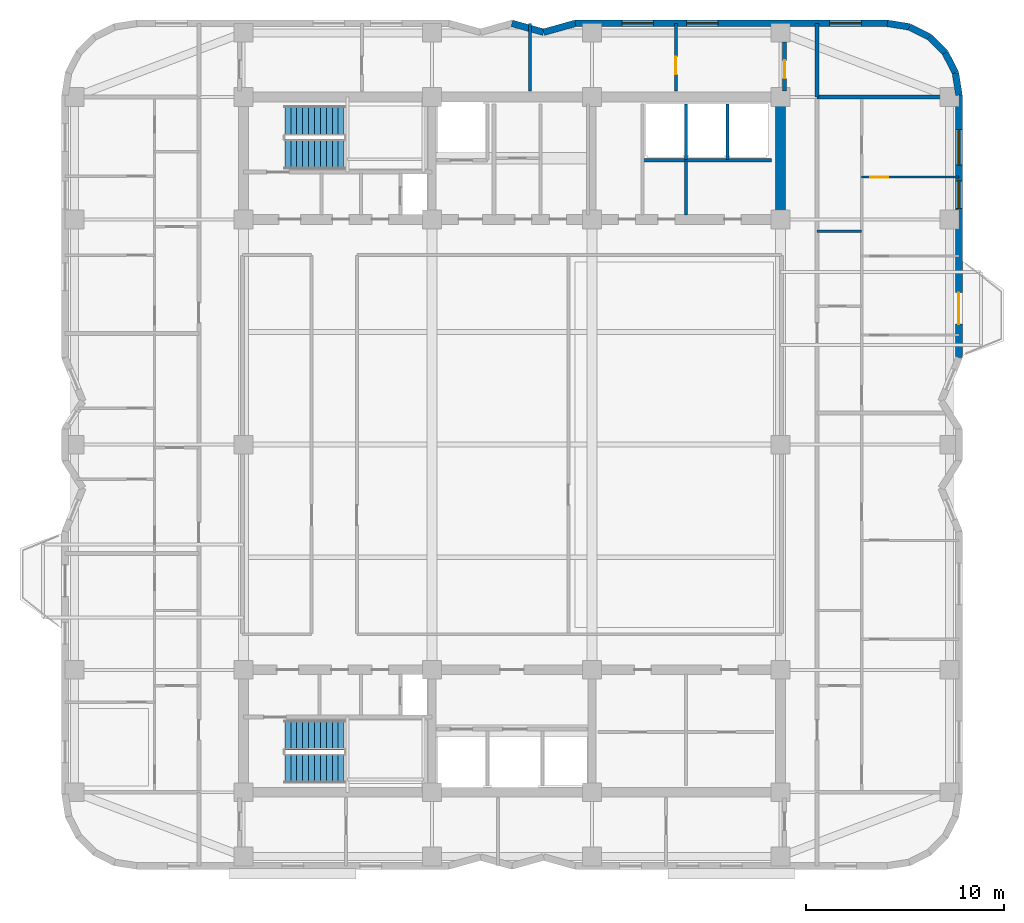
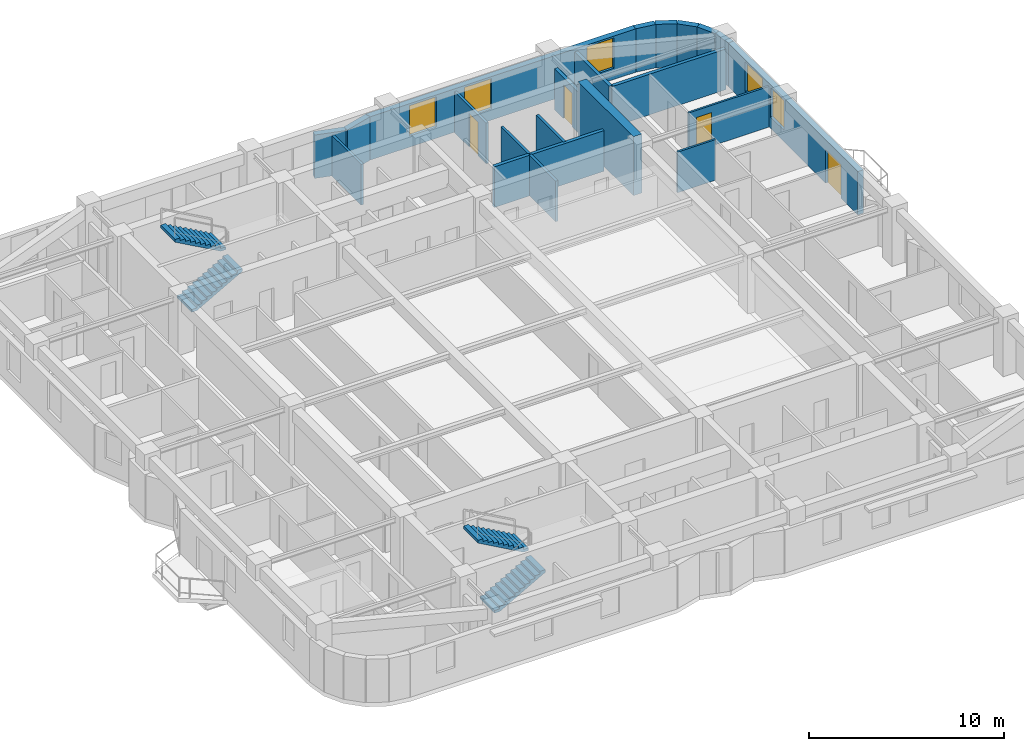
# One storey, part 7 of 9: 21 walls, 5 windows, 4 doors, 4 stair flights, 9 openings, 2 elements without a shape of their own.
"""IFC4 building model written with IfcOpenShell, lengths in metres."""

from ifc_helpers import new_model, si_unit, direction, frame, frame_2d, origin, place, context, subcontext, project, spatial, polyline, rectangle, outline, extrude, material, layer, layer_set, type_object, element, fill, aggregate, save


model = new_model("IFC4")

# Units and contexts
model_context = context("Model", 3, precision=1e-05, world=origin(), true_north=direction((0.0, 1.0)))
body_context = subcontext(model_context, "Body", "Model", "MODEL_VIEW")
ifc_project = project(units=[si_unit("LENGTHUNIT", "METRE"), si_unit("AREAUNIT", "SQUARE_METRE"), si_unit("VOLUMEUNIT", "CUBIC_METRE"), si_unit("PLANEANGLEUNIT", "RADIAN"), si_unit("MASSUNIT", "GRAM", prefix="KILO")], contexts=[model_context])

# Site, building, storey
site_placement = place(None, origin())
site = spatial("IfcSite", under=ifc_project, at=site_placement, CompositionType="ELEMENT")
building_placement = place(site_placement, origin())
building = spatial("IfcBuilding", under=site, at=building_placement, Name="Svetorya Sky Lyceum", CompositionType="ELEMENT")
storey_placement = place(building_placement, frame((0.0, 0.0, 155.199951171875)))
storey = spatial("IfcBuildingStorey", under=building, at=storey_placement, Name="L38", CompositionType="ELEMENT", Elevation=155.199951171875)

# Wall
ifc_material_1 = material(Name="Concrete C50/60", Category="concrete")
ifc_layer_1 = layer(ifc_material_1, 0.5)
ifc_layer_set_1 = layer_set([ifc_layer_1], Name="Concrete C50/60")
wall_type_1 = type_object("IfcWallType", Name="WL-CORE-500", PredefinedType="SHEAR", material=ifc_layer_set_1)
wall_1_placement = place(storey_placement, frame((52.800048828125, 39.85009765625, 0.0), z_axis=(0.0, 0.0, 1.0), x_axis=(0.0, 1.0, 0.0)))
element("IfcWall", 1, at=wall_1_placement, inside=storey, type_object=wall_type_1, Name="L38 NC East Core Shear Wall", PredefinedType="SHEAR", context=body_context, shape_type="SweptSolid", body=[
    extrude(rectangle(XDim=5.699951171875, YDim=0.5, at=frame_2d((2.85009765625, 0.0))), origin(), (0.0, 0.0, 1.0), 3.699951171875),
])

# Wall, openings, door, windows
ifc_material_2 = material(Name="Putilovo limestone rainscreen on autoclaved cellular masonry", Category="masonry")
ifc_layer_2 = layer(ifc_material_2, 0.340087890625)
ifc_layer_set_2 = layer_set([ifc_layer_2], Name="Putilovo limestone rainscreen on autoclaved cellular masonry")
wall_type_2 = type_object("IfcWallType", Name="WL-EXT-340", PredefinedType="SOLIDWALL", material=ifc_layer_set_2)
wall_2_placement = place(storey_placement, frame((61.830078125, 32.60009765625, 0.0), z_axis=(0.0, 0.0, 1.0), x_axis=(0.0, 1.0, 0.0)))
wall_2 = element("IfcWall", 2, at=wall_2_placement, inside=storey, type_object=wall_type_2, Name="L38 Limestone Exterior Wall 23M", PredefinedType="SOLIDWALL", context=body_context, shape_type="SweptSolid", body=[
    extrude(rectangle(XDim=13.2998046875, YDim=0.340087890625, at=frame_2d((6.64990234375, 0.0))), origin(), (0.0, 0.0, 1.0), 2.719970703125),
])
opening_1_placement = place(wall_2_placement, frame((1.699951171875, 0.0, 0.0)))
opening_1 = element("IfcOpeningElement", 3, at=opening_1_placement, cuts=wall_2, Name="Opening D-BL1", PredefinedType="OPENING", context=body_context, shape_type="SweptSolid", body=[
    extrude(rectangle(XDim=1.60009765625, YDim=2.10009765625, at=frame_2d((0.800048828125, 1.050048828125))), frame((0.0, 0.179931640625, 0.0), z_axis=(0.0, -1.0, 0.0), x_axis=(1.0, 0.0, 0.0)), (0.0, 0.0, 1.0), 0.360107421875),
])
opening_2_placement = place(wall_2_placement, frame((7.56005859375, 0.0, 0.7099609375)))
opening_2 = element("IfcOpeningElement", 4, at=opening_2_placement, cuts=wall_2, Name="Opening W-R2", PredefinedType="OPENING", context=body_context, shape_type="SweptSolid", body=[
    extrude(rectangle(XDim=1.39990234375, YDim=1.85009765625, at=frame_2d((0.699951171875, 0.925048828125))), frame((0.0, 0.179931640625, 0.0), z_axis=(0.0, -1.0, 0.0), x_axis=(1.0, 0.0, 0.0)), (0.0, 0.0, 1.0), 0.360107421875),
])
opening_3_placement = place(wall_2_placement, frame((9.75, 0.0, 0.75)))
opening_3 = element("IfcOpeningElement", 5, at=opening_3_placement, cuts=wall_2, Name="Opening W-R1", PredefinedType="OPENING", context=body_context, shape_type="SweptSolid", body=[
    extrude(rectangle(XDim=1.800048828125, YDim=1.85009765625, at=frame_2d((0.89990234375, 0.925048828125))), frame((0.0, 0.179931640625, 0.0), z_axis=(0.0, -1.0, 0.0), x_axis=(1.0, 0.0, 0.0)), (0.0, 0.0, 1.0), 0.360107421875),
])
ifc_material_3 = material(Name="Insulated glazed aluminium balcony door", Category="aluminium")
door_type_1 = type_object("IfcDoorType", Name="DR-BAL-1600", OperationType="DOUBLE_DOOR_SINGLE_SWING", PredefinedType="DOOR", material=ifc_material_3)
door_1_placement = place(opening_1_placement, origin())
door_1 = element("IfcDoor", 6, at=door_1_placement, inside=storey, type_object=door_type_1, Name="L38 Balcony BAL-E1 Door", OperationType="DOUBLE_DOOR_SINGLE_SWING", OverallHeight=2.10009765625, OverallWidth=1.60009765625, PredefinedType="DOOR", context=body_context, shape_type="SweptSolid", body=[
    extrude(rectangle(XDim=1.60009765625, YDim=2.10009765625, at=frame_2d((0.800048828125, 1.050048828125))), frame((0.0, 0.02490234375, 0.0), z_axis=(0.0, -1.0, 0.0), x_axis=(1.0, 0.0, 0.0)), (0.0, 0.0, 1.0), 0.050048828125),
])
fill(opening_1, door_1)
ifc_material_4 = material(Name="Thermally broken aluminium frame with triple low-E glazing", Category="aluminium")
window_type_1 = type_object("IfcWindowType", Name="WN-RES-140", PartitioningType="SINGLE_PANEL", PredefinedType="WINDOW", material=ifc_material_4)
window_1_placement = place(opening_2_placement, origin())
window_1 = element("IfcWindow", 7, at=window_1_placement, inside=storey, type_object=window_type_1, Name="L38 Facade Window W-R2.23M.2", OverallHeight=1.85009765625, OverallWidth=1.39990234375, PartitioningType="SINGLE_PANEL", PredefinedType="WINDOW", context=body_context, shape_type="SweptSolid", body=[
    extrude(rectangle(XDim=1.39990234375, YDim=1.85009765625, at=frame_2d((0.699951171875, 0.925048828125))), frame((0.0, 0.030029296875, 0.0), z_axis=(0.0, -1.0, 0.0), x_axis=(1.0, 0.0, 0.0)), (0.0, 0.0, 1.0), 0.06005859375),
])
fill(opening_2, window_1)
window_type_2 = type_object("IfcWindowType", Name="WN-RES-180", PartitioningType="DOUBLE_PANEL_VERTICAL", PredefinedType="WINDOW", material=ifc_material_4)
window_2_placement = place(opening_3_placement, origin())
window_2 = element("IfcWindow", 8, at=window_2_placement, inside=storey, type_object=window_type_2, Name="L38 Facade Window W-R1.23M.1", OverallHeight=1.85009765625, OverallWidth=1.800048828125, PartitioningType="SINGLE_PANEL", PredefinedType="WINDOW", context=body_context, shape_type="SweptSolid", body=[
    extrude(rectangle(XDim=1.800048828125, YDim=1.85009765625, at=frame_2d((0.89990234375, 0.925048828125))), frame((0.0, 0.030029296875, 0.0), z_axis=(0.0, -1.0, 0.0), x_axis=(1.0, 0.0, 0.0)), (0.0, 0.0, 1.0), 0.06005859375),
])
fill(opening_3, window_2)

# Walls
for number, where, z_axis, x_axis, name in (
    (9, (61.830078125, 45.89990234375, 0.0), (0.0, 0.0, 1.0), (-0.156481329164, 0.987680916907, 0.0), "L38 Limestone Exterior Wall 24M"),
    (10, (61.65234375, 47.021728515625, 0.0), (0.0, 0.0, 1.0), (-0.453993402883, 0.891005044957, 0.0), "L38 Limestone Exterior Wall 25M"),
):
    element("IfcWall", number, at=place(storey_placement, frame(where, z_axis=z_axis, x_axis=x_axis)), inside=storey, type_object=wall_type_2, Name=name, PredefinedType="SOLIDWALL", context=body_context, shape_type="SweptSolid", body=[
        extrude(rectangle(XDim=1.1357421875, YDim=0.340087890625, at=frame_2d((0.56787109375, 0.0))), origin(), (0.0, 0.0, 1.0), 2.719970703125),
    ])
wall_3_placement = place(storey_placement, frame((61.13671875, 48.03369140625, 0.0), z_axis=(0.0, 0.0, 1.0), x_axis=(-0.707106781187, 0.707106781187, 0.0)))
element("IfcWall", 11, at=wall_3_placement, inside=storey, type_object=wall_type_2, Name="L38 Limestone Exterior Wall 26M", PredefinedType="SOLIDWALL", context=body_context, shape_type="SweptSolid", body=[
    extrude(rectangle(XDim=1.135498046875, YDim=0.340087890625, at=frame_2d((0.56787109375, 0.0))), origin(), (0.0, 0.0, 1.0), 2.719970703125),
])
for number, where, z_axis, x_axis, name in (
    (12, (60.333740234375, 48.836669921875, 0.0), (0.0, 0.0, 1.0), (-0.891005044957, 0.453993402883, 0.0), "L38 Limestone Exterior Wall 27M"),
    (13, (59.32177734375, 49.352294921875, 0.0), (0.0, 0.0, 1.0), (-0.987680916907, 0.156481329164, 0.0), "L38 Limestone Exterior Wall 28M"),
):
    element("IfcWall", number, at=place(storey_placement, frame(where, z_axis=z_axis, x_axis=x_axis)), inside=storey, type_object=wall_type_2, Name=name, PredefinedType="SOLIDWALL", context=body_context, shape_type="SweptSolid", body=[
        extrude(rectangle(XDim=1.1357421875, YDim=0.340087890625, at=frame_2d((0.56787109375, 0.0))), origin(), (0.0, 0.0, 1.0), 2.719970703125),
    ])

# Wall, openings, windows
wall_4_placement = place(storey_placement, frame((58.199951171875, 49.530029296875, 0.0), z_axis=(0.0, 0.0, 1.0), x_axis=(-1.0, 0.0, 0.0)))
wall_4 = element("IfcWall", 14, at=wall_4_placement, inside=storey, type_object=wall_type_2, Name="L38 Limestone Exterior Wall 29M", PredefinedType="SOLIDWALL", context=body_context, shape_type="SweptSolid", body=[
    extrude(rectangle(XDim=15.800048828125, YDim=0.340087890625, at=frame_2d((7.89990234375, 0.0))), origin(), (0.0, 0.0, 1.0), 2.719970703125),
])
opening_4_placement = place(wall_4_placement, frame((1.3125, 0.0, 0.699951171875)))
opening_4 = element("IfcOpeningElement", 15, at=opening_4_placement, cuts=wall_4, Name="Opening W-R4", PredefinedType="OPENING", context=body_context, shape_type="SweptSolid", body=[
    extrude(rectangle(XDim=1.60009765625, YDim=1.89990234375, at=frame_2d((0.800048828125, 0.949951171875))), frame((0.0, 0.179931640625, 0.0), z_axis=(0.0, -1.0, 0.0), x_axis=(1.0, 0.0, 0.0)), (0.0, 0.0, 1.0), 0.360107421875),
])
opening_5_placement = place(wall_4_placement, frame((8.5625, 0.0, 0.699951171875)))
opening_5 = element("IfcOpeningElement", 16, at=opening_5_placement, cuts=wall_4, Name="Opening W-R4", PredefinedType="OPENING", context=body_context, shape_type="SweptSolid", body=[
    extrude(rectangle(XDim=1.60009765625, YDim=1.89990234375, at=frame_2d((0.800048828125, 0.949951171875))), frame((0.0, 0.179931640625, 0.0), z_axis=(0.0, -1.0, 0.0), x_axis=(1.0, 0.0, 0.0)), (0.0, 0.0, 1.0), 0.360107421875),
])
opening_6_placement = place(wall_4_placement, frame((11.83740234375, 0.0, 0.699951171875)))
opening_6 = element("IfcOpeningElement", 17, at=opening_6_placement, cuts=wall_4, Name="Opening W-R4", PredefinedType="OPENING", context=body_context, shape_type="SweptSolid", body=[
    extrude(rectangle(XDim=1.60009765625, YDim=1.89990234375, at=frame_2d((0.800048828125, 0.949951171875))), frame((0.0, 0.179931640625, 0.0), z_axis=(0.0, -1.0, 0.0), x_axis=(1.0, 0.0, 0.0)), (0.0, 0.0, 1.0), 0.360107421875),
])
window_type_3 = type_object("IfcWindowType", Name="WN-RES-160", PartitioningType="DOUBLE_PANEL_VERTICAL", PredefinedType="WINDOW", material=ifc_material_4)
window_3_placement = place(opening_4_placement, origin())
window_3 = element("IfcWindow", 18, at=window_3_placement, inside=storey, type_object=window_type_3, Name="L38 Facade Window W-R4.29M.1", OverallHeight=1.89990234375, OverallWidth=1.60009765625, PartitioningType="SINGLE_PANEL", PredefinedType="WINDOW", context=body_context, shape_type="SweptSolid", body=[
    extrude(rectangle(XDim=1.60009765625, YDim=1.89990234375, at=frame_2d((0.800048828125, 0.949951171875))), frame((0.0, 0.030029296875, 0.0), z_axis=(0.0, -1.0, 0.0), x_axis=(1.0, 0.0, 0.0)), (0.0, 0.0, 1.0), 0.06005859375),
])
fill(opening_4, window_3)
window_4_placement = place(opening_5_placement, origin())
window_4 = element("IfcWindow", 19, at=window_4_placement, inside=storey, type_object=window_type_3, Name="L38 Facade Window W-R4.29M.2", OverallHeight=1.89990234375, OverallWidth=1.60009765625, PartitioningType="SINGLE_PANEL", PredefinedType="WINDOW", context=body_context, shape_type="SweptSolid", body=[
    extrude(rectangle(XDim=1.60009765625, YDim=1.89990234375, at=frame_2d((0.800048828125, 0.949951171875))), frame((0.0, 0.030029296875, 0.0), z_axis=(0.0, -1.0, 0.0), x_axis=(1.0, 0.0, 0.0)), (0.0, 0.0, 1.0), 0.06005859375),
])
fill(opening_5, window_4)
window_5_placement = place(opening_6_placement, origin())
window_5 = element("IfcWindow", 20, at=window_5_placement, inside=storey, type_object=window_type_3, Name="L38 Facade Window W-R4.29M.3", OverallHeight=1.89990234375, OverallWidth=1.60009765625, PartitioningType="SINGLE_PANEL", PredefinedType="WINDOW", context=body_context, shape_type="SweptSolid", body=[
    extrude(rectangle(XDim=1.60009765625, YDim=1.89990234375, at=frame_2d((0.800048828125, 0.949951171875))), frame((0.0, 0.030029296875, 0.0), z_axis=(0.0, -1.0, 0.0), x_axis=(1.0, 0.0, 0.0)), (0.0, 0.0, 1.0), 0.06005859375),
])
fill(opening_6, window_5)

# Walls
wall_5_placement = place(storey_placement, frame((42.39990234375, 49.530029296875, 0.0), z_axis=(0.0, 0.0, 1.0), x_axis=(-0.962652136636, -0.270741322725, 0.0)))
element("IfcWall", 21, at=wall_5_placement, inside=storey, type_object=wall_type_2, Name="L38 Limestone Exterior Wall 30M", PredefinedType="SOLIDWALL", context=body_context, shape_type="SweptSolid", body=[
    extrude(rectangle(XDim=1.661865234375, YDim=0.340087890625, at=frame_2d((0.8310546875, 0.0))), origin(), (0.0, 0.0, 1.0), 2.719970703125),
])
wall_6_placement = place(storey_placement, frame((40.800048828125, 49.080078125, 0.0), z_axis=(0.0, 0.0, 1.0), x_axis=(-0.962662902433, 0.270703040766, 0.0)))
element("IfcWall", 22, at=wall_6_placement, inside=storey, type_object=wall_type_2, Name="L38 Limestone Exterior Wall 31M", PredefinedType="SOLIDWALL", context=body_context, shape_type="SweptSolid", body=[
    extrude(rectangle(XDim=1.662109375, YDim=0.340087890625, at=frame_2d((0.8310546875, 0.0))), origin(), (0.0, 0.0, 1.0), 2.719970703125),
])
ifc_material_5 = material(Name="Twin-stud galvanized framing with double fireboard", Category="gypsum")
ifc_layer_3 = layer(ifc_material_5, 0.1201171875)
ifc_layer_set_3 = layer_set([ifc_layer_3], Name="Twin-stud galvanized framing with double fireboard")
wall_type_3 = type_object("IfcWallType", Name="WL-PART-120", PredefinedType="PARTITIONING", material=ifc_layer_set_3)
wall_7_placement = place(storey_placement, frame((54.64990234375, 39.0, 0.0), z_axis=(0.0, 0.0, 1.0), x_axis=(1.0, 0.0, 0.0)))
element("IfcWall", 23, at=wall_7_placement, inside=storey, type_object=wall_type_3, Name="L38 Interior Partition E2-WH2", PredefinedType="PARTITIONING", context=body_context, shape_type="SweptSolid", body=[
    extrude(rectangle(XDim=2.25, YDim=0.1201171875, at=frame_2d((1.125, 0.0))), origin(), (0.0, 0.0, 1.0), 2.550048828125),
])

# Wall, opening, door
wall_8_placement = place(storey_placement, frame((56.89990234375, 41.75, 0.0), z_axis=(0.0, 0.0, 1.0), x_axis=(1.0, 0.0, 0.0)))
wall_8 = element("IfcWall", 24, at=wall_8_placement, inside=storey, type_object=wall_type_3, Name="L38 Interior Partition E2-WL3", PredefinedType="PARTITIONING", context=body_context, shape_type="SweptSolid", body=[
    extrude(rectangle(XDim=4.93017578125, YDim=0.1201171875, at=frame_2d((2.465087890625, 0.0))), origin(), (0.0, 0.0, 1.0), 2.550048828125),
])
opening_7_placement = place(wall_8_placement, frame((0.449951171875, 0.0, 0.0)))
opening_7 = element("IfcOpeningElement", 25, at=opening_7_placement, cuts=wall_8, Name="Opening D-RM1", PredefinedType="OPENING", context=body_context, shape_type="SweptSolid", body=[
    extrude(rectangle(XDim=0.89990234375, YDim=2.10009765625, at=frame_2d((0.449951171875, 1.050048828125))), frame((0.0, 0.070068359375, 0.0), z_axis=(0.0, -1.0, 0.0), x_axis=(1.0, 0.0, 0.0)), (0.0, 0.0, 1.0), 0.14013671875),
])
ifc_material_6 = material(Name="Lacquered birch veneer internal door")
door_type_2 = type_object("IfcDoorType", Name="DR-INT-900", OperationType="SINGLE_SWING_LEFT", PredefinedType="DOOR", material=ifc_material_6)
door_2_placement = place(opening_7_placement, origin())
door_2 = element("IfcDoor", 26, at=door_2_placement, inside=storey, type_object=door_type_2, Name="Apartment E2 Bedroom 3 Door", OperationType="SINGLE_SWING_LEFT", OverallHeight=2.10009765625, OverallWidth=0.89990234375, PredefinedType="DOOR", context=body_context, shape_type="SweptSolid", body=[
    extrude(rectangle(XDim=0.89990234375, YDim=2.10009765625, at=frame_2d((0.449951171875, 1.050048828125))), frame((0.0, 0.02490234375, 0.0), z_axis=(0.0, -1.0, 0.0), x_axis=(1.0, 0.0, 0.0)), (0.0, 0.0, 1.0), 0.050048828125),
])
fill(opening_7, door_2)

# Walls
ifc_material_7 = material(Name="Autoclaved cellular masonry blockwork with acoustic render", Category="masonry")
ifc_layer_4 = layer(ifc_material_7, 0.14990234375)
ifc_layer_set_4 = layer_set([ifc_layer_4], Name="Autoclaved cellular masonry blockwork with acoustic render")
wall_type_4 = type_object("IfcWallType", Name="WL-PART-150", PredefinedType="PARTITIONING", material=ifc_layer_set_4)
for number, where, z_axis, x_axis, name in (
    (27, (48.0, 42.64990234375, 0.0), (0.0, 0.0, 1.0), (0.0, 1.0, 0.0), "L38 Interior Partition NC-PH-D1"),
    (28, (50.10009765625, 42.64990234375, 0.0), (0.0, 0.0, 1.0), (0.0, 1.0, 0.0), "L38 Interior Partition NC-PH-D2"),
):
    element("IfcWall", number, at=place(storey_placement, frame(where, z_axis=z_axis, x_axis=x_axis)), inside=storey, type_object=wall_type_4, Name=name, PredefinedType="PARTITIONING", context=body_context, shape_type="SweptSolid", body=[
        extrude(rectangle(XDim=2.800048828125, YDim=0.14990234375, at=frame_2d((1.39990234375, 0.0))), origin(), (0.0, 0.0, 1.0), 2.550048828125),
    ])
wall_9_placement = place(storey_placement, frame((48.0, 39.820068359375, 0.0), z_axis=(0.0, 0.0, 1.0), x_axis=(0.0, 1.0, 0.0)))
element("IfcWall", 29, at=wall_9_placement, inside=storey, type_object=wall_type_4, Name="L38 Interior Partition NC-ED1", PredefinedType="PARTITIONING", context=body_context, shape_type="SweptSolid", body=[
    extrude(rectangle(XDim=2.72998046875, YDim=0.14990234375, at=frame_2d((1.364990234375, 0.0))), origin(), (0.0, 0.0, 1.0), 2.550048828125),
])
wall_10_placement = place(storey_placement, frame((40.10009765625, 46.10009765625, 0.0), z_axis=(0.0, 0.0, 1.0), x_axis=(0.0, 1.0, 0.0)))
element("IfcWall", 30, at=wall_10_placement, inside=storey, type_object=wall_type_4, Name="L38 Interior Partition N4-D2", PredefinedType="PARTITIONING", context=body_context, shape_type="SweptSolid", body=[
    extrude(rectangle(XDim=3.429931640625, YDim=0.14990234375, at=frame_2d((1.71484375, 0.0))), origin(), (0.0, 0.0, 1.0), 2.550048828125),
])

# Wall, opening, door
wall_11_placement = place(storey_placement, frame((47.5, 46.10009765625, 0.0), z_axis=(0.0, 0.0, 1.0), x_axis=(0.0, 1.0, 0.0)))
wall_11 = element("IfcWall", 31, at=wall_11_placement, inside=storey, type_object=wall_type_4, Name="L38 Interior Partition N4-D3", PredefinedType="PARTITIONING", context=body_context, shape_type="SweptSolid", body=[
    extrude(rectangle(XDim=3.429931640625, YDim=0.14990234375, at=frame_2d((1.71484375, 0.0))), origin(), (0.0, 0.0, 1.0), 2.550048828125),
])
opening_8_placement = place(wall_11_placement, frame((0.85009765625, 0.0, 0.0)))
opening_8 = element("IfcOpeningElement", 32, at=opening_8_placement, cuts=wall_11, Name="Opening D-RM1", PredefinedType="OPENING", context=body_context, shape_type="SweptSolid", body=[
    extrude(rectangle(XDim=0.89990234375, YDim=2.10009765625, at=frame_2d((0.449951171875, 1.050048828125))), frame((0.0, 0.0849609375, 0.0), z_axis=(0.0, -1.0, 0.0), x_axis=(1.0, 0.0, 0.0)), (0.0, 0.0, 1.0), 0.169921875),
])
door_3_placement = place(opening_8_placement, origin())
door_3 = element("IfcDoor", 33, at=door_3_placement, inside=storey, type_object=door_type_2, Name="L38 North Suite Door 3", OperationType="SINGLE_SWING_RIGHT", OverallHeight=2.10009765625, OverallWidth=0.89990234375, PredefinedType="DOOR", context=body_context, shape_type="SweptSolid", body=[
    extrude(rectangle(XDim=0.89990234375, YDim=2.10009765625, at=frame_2d((0.449951171875, 1.050048828125))), frame((0.0, 0.02490234375, 0.0), z_axis=(0.0, -1.0, 0.0), x_axis=(1.0, 0.0, 0.0)), (0.0, 0.0, 1.0), 0.050048828125),
])
fill(opening_8, door_3)

# Walls
ifc_material_8 = material(Name="Autoclaved cellular masonry blockwork with gypsum plaster", Category="masonry")
ifc_layer_5 = layer(ifc_material_8, 0.199951171875)
ifc_layer_set_5 = layer_set([ifc_layer_5], Name="Autoclaved cellular masonry blockwork with gypsum plaster")
wall_type_5 = type_object("IfcWallType", Name="WL-PART-200", PredefinedType="PARTITIONING", material=ifc_layer_set_5)
wall_12_placement = place(storey_placement, frame((52.35009765625, 42.60009765625, 0.0), z_axis=(0.0, 0.0, 1.0), x_axis=(-1.0, 0.0, 0.0)))
element("IfcWall", 34, at=wall_12_placement, inside=storey, type_object=wall_type_5, Name="L38 Interior Partition NC-PHEW", PredefinedType="PARTITIONING", context=body_context, shape_type="SweptSolid", body=[
    extrude(rectangle(XDim=6.5, YDim=0.199951171875, at=frame_2d((3.25, 0.0))), origin(), (0.0, 0.0, 1.0), 2.550048828125),
])
wall_13_placement = place(storey_placement, frame((54.64990234375, 45.800048828125, 0.0), z_axis=(0.0, 0.0, 1.0), x_axis=(1.0, 0.0, 0.0)))
element("IfcWall", 35, at=wall_13_placement, inside=storey, type_object=wall_type_5, Name="L38 Interior Partition E-CAP-N", PredefinedType="PARTITIONING", context=body_context, shape_type="SweptSolid", body=[
    extrude(rectangle(XDim=6.760009765625, YDim=0.199951171875, at=frame_2d((3.3798828125, 0.0))), origin(), (0.0, 0.0, 1.0), 2.550048828125),
])
wall_14_placement = place(storey_placement, frame((54.64990234375, 45.800048828125, 0.0), z_axis=(0.0, 0.0, 1.0), x_axis=(0.0, 1.0, 0.0)))
element("IfcWall", 36, at=wall_14_placement, inside=storey, type_object=wall_type_5, Name="L38 Interior Partition EC-NE-END", PredefinedType="PARTITIONING", context=body_context, shape_type="SweptSolid", body=[
    extrude(rectangle(XDim=3.72998046875, YDim=0.199951171875, at=frame_2d((1.864990234375, 0.0))), origin(), (0.0, 0.0, 1.0), 2.550048828125),
])

# Wall, opening, door
wall_15_placement = place(storey_placement, frame((53.0, 46.10009765625, 0.0), z_axis=(0.0, 0.0, 1.0), x_axis=(0.0, 1.0, 0.0)))
wall_15 = element("IfcWall", 37, at=wall_15_placement, inside=storey, type_object=wall_type_5, Name="L38 Interior Partition N4-EE", PredefinedType="PARTITIONING", context=body_context, shape_type="SweptSolid", body=[
    extrude(rectangle(XDim=2.47998046875, YDim=0.199951171875, at=frame_2d((1.239990234375, 0.0))), origin(), (0.0, 0.0, 1.0), 2.550048828125),
])
opening_9_placement = place(wall_15_placement, frame((0.64990234375, 0.0, 0.0)))
opening_9 = element("IfcOpeningElement", 38, at=opening_9_placement, cuts=wall_15, Name="Opening D-RM1", PredefinedType="OPENING", context=body_context, shape_type="SweptSolid", body=[
    extrude(rectangle(XDim=0.89990234375, YDim=2.10009765625, at=frame_2d((0.449951171875, 1.050048828125))), frame((0.0, 0.10986328125, 0.0), z_axis=(0.0, -1.0, 0.0), x_axis=(1.0, 0.0, 0.0)), (0.0, 0.0, 1.0), 0.219970703125),
])
door_4_placement = place(opening_9_placement, origin())
door_4 = element("IfcDoor", 39, at=door_4_placement, inside=storey, type_object=door_type_2, Name="L38 NE Office Door", OperationType="SINGLE_SWING_LEFT", OverallHeight=2.10009765625, OverallWidth=0.89990234375, PredefinedType="DOOR", context=body_context, shape_type="SweptSolid", body=[
    extrude(rectangle(XDim=0.89990234375, YDim=2.10009765625, at=frame_2d((0.449951171875, 1.050048828125))), frame((0.0, 0.02490234375, 0.0), z_axis=(0.0, -1.0, 0.0), x_axis=(1.0, 0.0, 0.0)), (0.0, 0.0, 1.0), 0.050048828125),
])
fill(opening_9, door_4)

# Stair, stair flights
ifc_material_9 = material(Name="Concrete C40/50", Category="concrete")
stair_type_1 = type_object("IfcStairType", Name="STR-ST-N", PredefinedType="HALF_TURN_STAIR", material=ifc_material_9)
stair_1_placement = place(storey_placement, origin())
stair_1 = element("IfcStair", 40, at=stair_1_placement, inside=storey, type_object=stair_type_1, Name="L38 North Core Smoke-Free Exit Stair N3", PredefinedType="HALF_TURN_STAIR")
stair_flight_type_1 = type_object("IfcStairFlightType", Name="SFL-ST-N", PredefinedType="STRAIGHT", material=ifc_material_9)
stair_flight_1_placement = place(storey_placement, frame((27.699951171875, 42.89990234375, 0.0), z_axis=(0.0, 0.0, 1.0), x_axis=(1.0, 0.0, 0.0)))
stair_flight_1 = element("IfcStairFlight", 41, at=stair_flight_1_placement, type_object=stair_flight_type_1, Name="ST-N flight 1", NumberOfRisers=11, NumberOfTreads=10, PredefinedType="STRAIGHT", RiserHeight=0.168181818, TreadLength=0.3, context=body_context, shape_type="SweptSolid", body=[
    extrude(outline(polyline([(0.0, 0.0), (0.0, 0.168212890625), (0.300048828125, 0.168212890625), (0.300048828125, 0.33642578125), (0.60009765625, 0.33642578125), (0.60009765625, 0.504638671875), (0.89990234375, 0.504638671875), (0.89990234375, 0.672607421875), (1.199951171875, 0.672607421875), (1.199951171875, 0.8408203125), (1.5, 0.8408203125), (1.5, 1.009033203125), (1.800048828125, 1.009033203125), (1.800048828125, 1.17724609375), (2.10009765625, 1.17724609375), (2.10009765625, 1.345458984375), (2.39990234375, 1.345458984375), (2.39990234375, 1.513671875), (2.699951171875, 1.513671875), (2.699951171875, 1.681884765625), (3.0, 1.681884765625), (3.0, 1.85009765625), (3.0, 1.510009765625), (0.306640625, 0.0), (0.0, 0.0)])), frame((0.0, 0.75, 0.0), z_axis=(0.0, -1.0, 0.0), x_axis=(1.0, 0.0, 0.0)), (0.0, 0.0, 1.0), 1.5),
])
stair_flight_2_placement = place(storey_placement, frame((30.699951171875, 44.60009765625, 1.85009765625), z_axis=(0.0, 0.0, 1.0), x_axis=(-1.0, 0.0, 0.0)))
stair_flight_2 = element("IfcStairFlight", 42, at=stair_flight_2_placement, type_object=stair_flight_type_1, Name="ST-N flight 2", NumberOfRisers=11, NumberOfTreads=10, PredefinedType="STRAIGHT", RiserHeight=0.168181818, TreadLength=0.3, context=body_context, shape_type="SweptSolid", body=[
    extrude(outline(polyline([(0.0, 0.0), (0.0, 0.168212890625), (0.300048828125, 0.168212890625), (0.300048828125, 0.33642578125), (0.60009765625, 0.33642578125), (0.60009765625, 0.504638671875), (0.89990234375, 0.504638671875), (0.89990234375, 0.672607421875), (1.199951171875, 0.672607421875), (1.199951171875, 0.8408203125), (1.5, 0.8408203125), (1.5, 1.009033203125), (1.800048828125, 1.009033203125), (1.800048828125, 1.17724609375), (2.10009765625, 1.17724609375), (2.10009765625, 1.345458984375), (2.39990234375, 1.345458984375), (2.39990234375, 1.513671875), (2.699951171875, 1.513671875), (2.699951171875, 1.681884765625), (3.0, 1.681884765625), (3.0, 1.85009765625), (3.0, 1.510009765625), (0.306640625, 0.0), (0.0, 0.0)])), frame((0.0, 0.75, 0.0), z_axis=(0.0, -1.0, 0.0), x_axis=(1.0, 0.0, 0.0)), (0.0, 0.0, 1.0), 1.5),
])
aggregate(stair_1, [stair_flight_1, stair_flight_2])

stair_type_2 = type_object("IfcStairType", Name="STR-ST-S", PredefinedType="HALF_TURN_STAIR", material=ifc_material_9)
stair_2_placement = place(storey_placement, origin())
stair_2 = element("IfcStair", 43, at=stair_2_placement, inside=storey, type_object=stair_type_2, Name="L38 South Core Smoke-Free Exit Stair N2", PredefinedType="HALF_TURN_STAIR")
stair_flight_type_2 = type_object("IfcStairFlightType", Name="SFL-ST-S", PredefinedType="STRAIGHT", material=ifc_material_9)
stair_flight_3_placement = place(storey_placement, frame((27.699951171875, 11.800048828125, 0.0), z_axis=(0.0, 0.0, 1.0), x_axis=(1.0, 0.0, 0.0)))
stair_flight_3 = element("IfcStairFlight", 44, at=stair_flight_3_placement, type_object=stair_flight_type_2, Name="ST-S flight 1", NumberOfRisers=11, NumberOfTreads=10, PredefinedType="STRAIGHT", RiserHeight=0.168181818, TreadLength=0.3, context=body_context, shape_type="SweptSolid", body=[
    extrude(outline(polyline([(0.0, 0.0), (0.0, 0.168212890625), (0.300048828125, 0.168212890625), (0.300048828125, 0.33642578125), (0.60009765625, 0.33642578125), (0.60009765625, 0.504638671875), (0.89990234375, 0.504638671875), (0.89990234375, 0.672607421875), (1.199951171875, 0.672607421875), (1.199951171875, 0.8408203125), (1.5, 0.8408203125), (1.5, 1.009033203125), (1.800048828125, 1.009033203125), (1.800048828125, 1.17724609375), (2.10009765625, 1.17724609375), (2.10009765625, 1.345458984375), (2.39990234375, 1.345458984375), (2.39990234375, 1.513671875), (2.699951171875, 1.513671875), (2.699951171875, 1.681884765625), (3.0, 1.681884765625), (3.0, 1.85009765625), (3.0, 1.510009765625), (0.306640625, 0.0), (0.0, 0.0)])), frame((0.0, 0.75, 0.0), z_axis=(0.0, -1.0, 0.0), x_axis=(1.0, 0.0, 0.0)), (0.0, 0.0, 1.0), 1.5),
])
stair_flight_4_placement = place(storey_placement, frame((30.699951171875, 13.5, 1.85009765625), z_axis=(0.0, 0.0, 1.0), x_axis=(-1.0, 0.0, 0.0)))
stair_flight_4 = element("IfcStairFlight", 45, at=stair_flight_4_placement, type_object=stair_flight_type_2, Name="ST-S flight 2", NumberOfRisers=11, NumberOfTreads=10, PredefinedType="STRAIGHT", RiserHeight=0.168181818, TreadLength=0.3, context=body_context, shape_type="SweptSolid", body=[
    extrude(outline(polyline([(0.0, 0.0), (0.0, 0.168212890625), (0.300048828125, 0.168212890625), (0.300048828125, 0.33642578125), (0.60009765625, 0.33642578125), (0.60009765625, 0.504638671875), (0.89990234375, 0.504638671875), (0.89990234375, 0.672607421875), (1.199951171875, 0.672607421875), (1.199951171875, 0.8408203125), (1.5, 0.8408203125), (1.5, 1.009033203125), (1.800048828125, 1.009033203125), (1.800048828125, 1.17724609375), (2.10009765625, 1.17724609375), (2.10009765625, 1.345458984375), (2.39990234375, 1.345458984375), (2.39990234375, 1.513671875), (2.699951171875, 1.513671875), (2.699951171875, 1.681884765625), (3.0, 1.681884765625), (3.0, 1.85009765625), (3.0, 1.510009765625), (0.306640625, 0.0), (0.0, 0.0)])), frame((0.0, 0.75, 0.0), z_axis=(0.0, -1.0, 0.0), x_axis=(1.0, 0.0, 0.0)), (0.0, 0.0, 1.0), 1.5),
])
aggregate(stair_2, [stair_flight_3, stair_flight_4])

save(model, "model.ifc")
